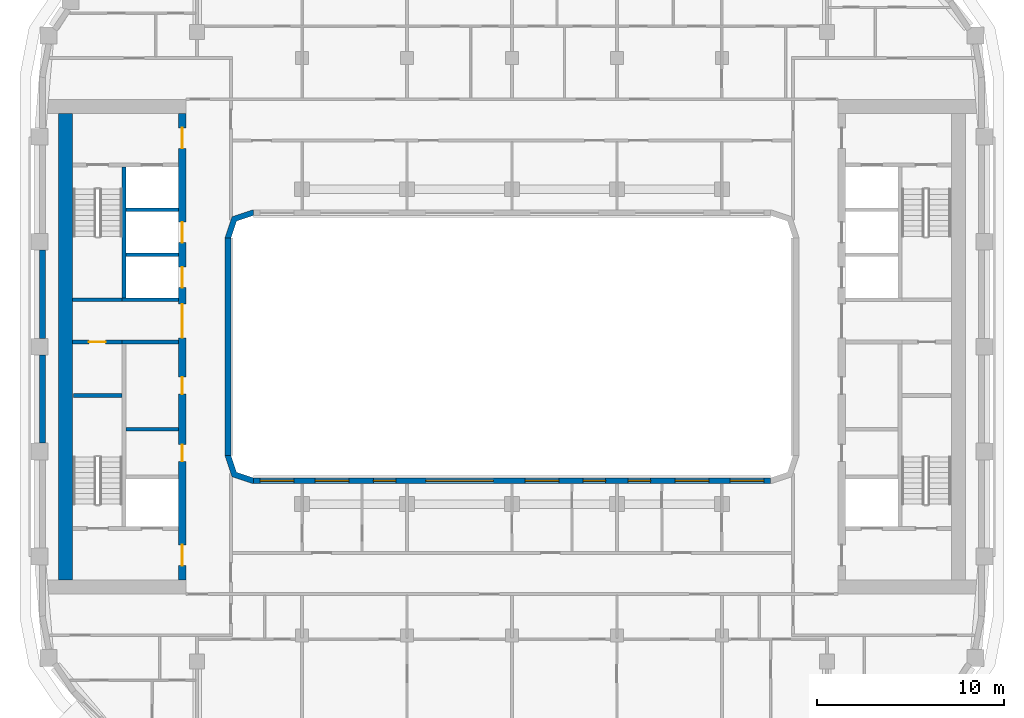
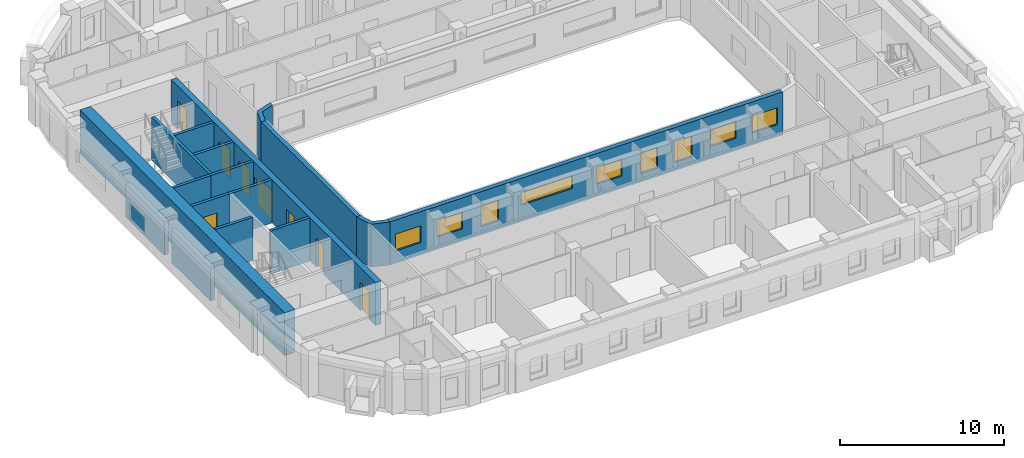
# One storey, part 4 of 21: 17 walls, 9 windows, 8 doors, 17 openings.
"""IFC4 building model written with IfcOpenShell, lengths in metres."""

from ifc_helpers import new_model, si_unit, direction, frame, frame_2d, origin, place, context, subcontext, project, spatial, polyline, rectangle, outline, extrude, material, layer, layer_set, type_object, element, fill, save


model = new_model("IFC4")

# Units and contexts
model_context = context("Model", 3, precision=1e-05, world=origin(), true_north=direction((0.0, 1.0)))
body_context = subcontext(model_context, "Body", "Model", "MODEL_VIEW")
ifc_project = project(units=[si_unit("LENGTHUNIT", "METRE"), si_unit("AREAUNIT", "SQUARE_METRE"), si_unit("VOLUMEUNIT", "CUBIC_METRE"), si_unit("PLANEANGLEUNIT", "RADIAN"), si_unit("MASSUNIT", "GRAM", prefix="KILO")], contexts=[model_context])

# Site, building, storey
site_placement = place(None, origin())
site = spatial("IfcSite", under=ifc_project, at=site_placement, CompositionType="ELEMENT")
building_placement = place(site_placement, origin())
building = spatial("IfcBuilding", under=site, at=building_placement, Name="Kiln Ring Residences", CompositionType="ELEMENT")
storey_placement = place(building_placement, frame((0.0, 0.0, 192.39990234375)))
storey = spatial("IfcBuildingStorey", under=building, at=storey_placement, Name="L49", CompositionType="ELEMENT", Elevation=192.39990234375)

# Wall, opening, door
ifc_material_1 = material(Name="Gypsum board on steel studs", Category="steel")
ifc_layer_1 = layer(ifc_material_1, 0.199951171875)
ifc_layer_set_1 = layer_set([ifc_layer_1], Name="CORE-PARTITION-200")
wall_type_1 = type_object("IfcWallType", Name="CORE-PARTITION-200", PredefinedType="PARTITIONING", material=ifc_layer_set_1)
wall_1_placement = place(storey_placement, frame((-20.800048828125, 0.25, 0.0), z_axis=(0.0, 0.0, 1.0), x_axis=(-1.0, 0.0, 0.0)))
wall_1 = element("IfcWall", 1, at=wall_1_placement, inside=storey, type_object=wall_type_1, Name="Core partition west L49 1", PredefinedType="PARTITIONING", context=body_context, shape_type="SweptSolid", body=[
    extrude(rectangle(XDim=2.64990234375, YDim=0.199951171875, at=frame_2d((1.324951171875, 0.0))), origin(), (0.0, 0.0, 1.0), 3.2001953125),
])
opening_1_placement = place(wall_1_placement, frame((0.875, 0.0, 0.0)))
opening_1 = element("IfcOpeningElement", 2, at=opening_1_placement, cuts=wall_1, Name="Opening L49-CW12", PredefinedType="OPENING", context=body_context, shape_type="SweptSolid", body=[
    extrude(rectangle(XDim=0.89990234375, YDim=2.10009765625, at=frame_2d((0.449951171875, 1.050048828125))), frame((0.0, 0.10986328125, 0.0), z_axis=(0.0, -1.0, 0.0), x_axis=(1.0, 0.0, 0.0)), (0.0, 0.0, 1.0), 0.219970703125),
])
ifc_material_2 = material(Name="Steel door leaf", Category="steel")
door_type_1 = type_object("IfcDoorType", Name="CORE-DOOR-ROOM", OperationType="SINGLE_SWING_LEFT", PredefinedType="DOOR", material=ifc_material_2)
door_1_placement = place(opening_1_placement, origin())
door_1 = element("IfcDoor", 3, at=door_1_placement, inside=storey, type_object=door_type_1, Name="Electrical riser room L49-CW12", OperationType="SINGLE_SWING_RIGHT", OverallHeight=2.10009765625, OverallWidth=0.89990234375, PredefinedType="DOOR", context=body_context, shape_type="SweptSolid", body=[
    extrude(rectangle(XDim=0.89990234375, YDim=2.10009765625, at=frame_2d((0.449951171875, 1.050048828125))), frame((0.0, 0.02490234375, 0.0), z_axis=(0.0, -1.0, 0.0), x_axis=(1.0, 0.0, 0.0)), (0.0, 0.0, 1.0), 0.050048828125),
])
fill(opening_1, door_1)

# Walls
wall_2_placement = place(storey_placement, frame((-17.800048828125, -4.39990234375, 0.0), z_axis=(0.0, 0.0, 1.0), x_axis=(-1.0, 0.0, 0.0)))
element("IfcWall", 4, at=wall_2_placement, inside=storey, type_object=wall_type_1, Name="Core partition west L49 2", PredefinedType="PARTITIONING", context=body_context, shape_type="SweptSolid", body=[
    extrude(rectangle(XDim=2.800048828125, YDim=0.199951171875, at=frame_2d((1.39990234375, 0.0))), origin(), (0.0, 0.0, 1.0), 3.2001953125),
])
ifc_material_3 = material(Name="Gypsum shaft wall system")
ifc_layer_2 = layer(ifc_material_3, 0.199951171875)
ifc_layer_set_2 = layer_set([ifc_layer_2], Name="CORE-SHAFT-WALL-200")
wall_type_2 = type_object("IfcWallType", Name="CORE-SHAFT-WALL-200", PredefinedType="PARTITIONING", material=ifc_layer_set_2)
for number, where, z_axis, x_axis, name in (
    (5, (-17.800048828125, 0.25, 0.0), (0.0, 0.0, 1.0), (-1.0, 0.0, 0.0), "Core partition west L49 4"),
    (6, (-17.800048828125, 2.5, 0.0), (0.0, 0.0, 1.0), (-1.0, 0.0, 0.0), "Core partition west L49 5"),
):
    element("IfcWall", number, at=place(storey_placement, frame(where, z_axis=z_axis, x_axis=x_axis)), inside=storey, type_object=wall_type_2, Name=name, PredefinedType="PARTITIONING", context=body_context, shape_type="SweptSolid", body=[
        extrude(rectangle(XDim=3.0, YDim=0.199951171875, at=frame_2d((1.5, 0.0))), origin(), (0.0, 0.0, 1.0), 3.2001953125),
    ])
for number, where, z_axis, x_axis, name in (
    (7, (-17.800048828125, 4.89990234375, 0.0), (0.0, 0.0, 1.0), (-1.0, 0.0, 0.0), "Core partition west L49 6"),
    (8, (-17.800048828125, 7.300048828125, 0.0), (0.0, 0.0, 1.0), (-1.0, 0.0, 0.0), "Core partition west L49 7"),
):
    element("IfcWall", number, at=place(storey_placement, frame(where, z_axis=z_axis, x_axis=x_axis)), inside=storey, type_object=wall_type_2, Name=name, PredefinedType="PARTITIONING", context=body_context, shape_type="SweptSolid", body=[
        extrude(rectangle(XDim=2.800048828125, YDim=0.199951171875, at=frame_2d((1.39990234375, 0.0))), origin(), (0.0, 0.0, 1.0), 3.2001953125),
    ])
ifc_material_4 = material(Name="Concrete C40/50", Category="concrete")
ifc_layer_3 = layer(ifc_material_4, 0.199951171875)
ifc_layer_set_3 = layer_set([ifc_layer_3], Name="CORE-WALL-RC200")
wall_type_3 = type_object("IfcWallType", Name="CORE-WALL-RC200", PredefinedType="SHEAR", material=ifc_layer_set_3)
wall_3_placement = place(storey_placement, frame((-20.699951171875, 2.60009765625, 0.0), z_axis=(0.0, 0.0, 1.0), x_axis=(0.0, 1.0, 0.0)))
element("IfcWall", 9, at=wall_3_placement, inside=storey, type_object=wall_type_3, Name="Core wall west L49 1", PredefinedType="SHEAR", context=body_context, shape_type="SweptSolid", body=[
    extrude(rectangle(XDim=7.0, YDim=0.199951171875, at=frame_2d((3.5, 0.0))), origin(), (0.0, 0.0, 1.0), 3.2001953125),
])
wall_4_placement = place(storey_placement, frame((-20.800048828125, 2.5, 0.0), z_axis=(0.0, 0.0, 1.0), x_axis=(-1.0, 0.0, 0.0)))
element("IfcWall", 10, at=wall_4_placement, inside=storey, type_object=wall_type_3, Name="Core wall west L49 3", PredefinedType="SHEAR", context=body_context, shape_type="SweptSolid", body=[
    extrude(rectangle(XDim=2.64990234375, YDim=0.199951171875, at=frame_2d((1.324951171875, 0.0))), origin(), (0.0, 0.0, 1.0), 3.2001953125),
])
wall_5_placement = place(storey_placement, frame((-20.800048828125, -2.60009765625, 0.0), z_axis=(0.0, 0.0, 1.0), x_axis=(-1.0, 0.0, 0.0)))
element("IfcWall", 11, at=wall_5_placement, inside=storey, type_object=wall_type_3, Name="Core wall west L49 10", PredefinedType="SHEAR", context=body_context, shape_type="SweptSolid", body=[
    extrude(rectangle(XDim=2.599853515625, YDim=0.199951171875, at=frame_2d((1.2998046875, 0.0))), origin(), (0.0, 0.0, 1.0), 3.2001953125),
])

# Wall, openings, doors
ifc_material_5 = material(Name="Concrete C60/75", Category="concrete")
ifc_layer_4 = layer(ifc_material_5, 0.39990234375)
ifc_layer_set_4 = layer_set([ifc_layer_4], Name="CORE-WALL-RC400")
wall_type_4 = type_object("IfcWallType", Name="CORE-WALL-RC400", PredefinedType="SHEAR", material=ifc_layer_set_4)
wall_6_placement = place(storey_placement, frame((-17.60009765625, -12.449951171875, 0.0), z_axis=(0.0, 0.0, 1.0), x_axis=(0.0, 1.0, 0.0)))
wall_6 = element("IfcWall", 12, at=wall_6_placement, inside=storey, type_object=wall_type_4, Name="Core wall west L49 6", PredefinedType="SHEAR", context=body_context, shape_type="SweptSolid", body=[
    extrude(rectangle(XDim=24.89990234375, YDim=0.39990234375, at=frame_2d((12.449951171875, 0.0))), origin(), (0.0, 0.0, 1.0), 3.2001953125),
])
opening_2_placement = place(wall_6_placement, frame((6.324951171875, 0.0, 0.0)))
opening_2 = element("IfcOpeningElement", 13, at=opening_2_placement, cuts=wall_6, Name="Opening L49-CW02", PredefinedType="OPENING", context=body_context, shape_type="SweptSolid", body=[
    extrude(rectangle(XDim=0.89990234375, YDim=2.10009765625, at=frame_2d((0.449951171875, 1.050048828125))), frame((0.0, 0.2099609375, 0.0), z_axis=(0.0, -1.0, 0.0), x_axis=(1.0, 0.0, 0.0)), (0.0, 0.0, 1.0), 0.419921875),
])
opening_3_placement = place(wall_6_placement, frame((9.925048828125, 0.0, 0.0)))
opening_3 = element("IfcOpeningElement", 14, at=opening_3_placement, cuts=wall_6, Name="Opening L49-CW03", PredefinedType="OPENING", context=body_context, shape_type="SweptSolid", body=[
    extrude(rectangle(XDim=0.89990234375, YDim=2.10009765625, at=frame_2d((0.449951171875, 1.050048828125))), frame((0.0, 0.2099609375, 0.0), z_axis=(0.0, -1.0, 0.0), x_axis=(1.0, 0.0, 0.0)), (0.0, 0.0, 1.0), 0.419921875),
])
opening_4_placement = place(wall_6_placement, frame((15.60009765625, 0.0, 0.0)))
opening_4 = element("IfcOpeningElement", 15, at=opening_4_placement, cuts=wall_6, Name="Opening L49-CW04", PredefinedType="OPENING", context=body_context, shape_type="SweptSolid", body=[
    extrude(rectangle(XDim=1.10009765625, YDim=2.10009765625, at=frame_2d((0.550048828125, 1.050048828125))), frame((0.0, 0.2099609375, 0.0), z_axis=(0.0, -1.0, 0.0), x_axis=(1.0, 0.0, 0.0)), (0.0, 0.0, 1.0), 0.419921875),
])
opening_5_placement = place(wall_6_placement, frame((18.0, 0.0, 0.0)))
opening_5 = element("IfcOpeningElement", 16, at=opening_5_placement, cuts=wall_6, Name="Opening L49-CW05", PredefinedType="OPENING", context=body_context, shape_type="SweptSolid", body=[
    extrude(rectangle(XDim=1.10009765625, YDim=2.10009765625, at=frame_2d((0.550048828125, 1.050048828125))), frame((0.0, 0.2099609375, 0.0), z_axis=(0.0, -1.0, 0.0), x_axis=(1.0, 0.0, 0.0)), (0.0, 0.0, 1.0), 0.419921875),
])
opening_6_placement = place(wall_6_placement, frame((23.02490234375, 0.0, 0.0)))
opening_6 = element("IfcOpeningElement", 17, at=opening_6_placement, cuts=wall_6, Name="Opening L49-CW07", PredefinedType="OPENING", context=body_context, shape_type="SweptSolid", body=[
    extrude(rectangle(XDim=1.10009765625, YDim=2.10009765625, at=frame_2d((0.550048828125, 1.050048828125))), frame((0.0, 0.2099609375, 0.0), z_axis=(0.0, -1.0, 0.0), x_axis=(1.0, 0.0, 0.0)), (0.0, 0.0, 1.0), 0.419921875),
])
opening_7_placement = place(wall_6_placement, frame((0.77490234375, 0.0, 0.0)))
opening_7 = element("IfcOpeningElement", 18, at=opening_7_placement, cuts=wall_6, Name="Opening L49-CW08", PredefinedType="OPENING", context=body_context, shape_type="SweptSolid", body=[
    extrude(rectangle(XDim=1.10009765625, YDim=2.10009765625, at=frame_2d((0.550048828125, 1.050048828125))), frame((0.0, 0.2099609375, 0.0), z_axis=(0.0, -1.0, 0.0), x_axis=(1.0, 0.0, 0.0)), (0.0, 0.0, 1.0), 0.419921875),
])
opening_8_placement = place(wall_6_placement, frame((12.925048828125, 0.0, 0.0)))
opening_8 = element("IfcOpeningElement", 19, at=opening_8_placement, cuts=wall_6, Name="Opening L49-CW11", PredefinedType="OPENING", context=body_context, shape_type="SweptSolid", body=[
    extrude(rectangle(XDim=1.800048828125, YDim=2.10009765625, at=frame_2d((0.89990234375, 1.050048828125))), frame((0.0, 0.2099609375, 0.0), z_axis=(0.0, -1.0, 0.0), x_axis=(1.0, 0.0, 0.0)), (0.0, 0.0, 1.0), 0.419921875),
])
ifc_material_6 = material(Name="Steel door leaf", Category="steel")
door_type_2 = type_object("IfcDoorType", Name="CORE-DOOR-LD", OperationType="DOUBLE_DOOR_SLIDING", PredefinedType="DOOR", material=ifc_material_6)
door_2_placement = place(opening_4_placement, origin())
door_2 = element("IfcDoor", 20, at=door_2_placement, inside=storey, type_object=door_type_2, Name="LD W-M1 L49-CW04", OperationType="DOUBLE_DOOR_SLIDING", OverallHeight=2.10009765625, OverallWidth=1.10009765625, PredefinedType="DOOR", context=body_context, shape_type="SweptSolid", body=[
    extrude(rectangle(XDim=1.10009765625, YDim=2.10009765625, at=frame_2d((0.550048828125, 1.050048828125))), frame((0.0, 0.02490234375, 0.0), z_axis=(0.0, -1.0, 0.0), x_axis=(1.0, 0.0, 0.0)), (0.0, 0.0, 1.0), 0.050048828125),
])
fill(opening_4, door_2)
door_3_placement = place(opening_5_placement, origin())
door_3 = element("IfcDoor", 21, at=door_3_placement, inside=storey, type_object=door_type_2, Name="LD W-M2 L49-CW05", OperationType="DOUBLE_DOOR_SLIDING", OverallHeight=2.10009765625, OverallWidth=1.10009765625, PredefinedType="DOOR", context=body_context, shape_type="SweptSolid", body=[
    extrude(rectangle(XDim=1.10009765625, YDim=2.10009765625, at=frame_2d((0.550048828125, 1.050048828125))), frame((0.0, 0.02490234375, 0.0), z_axis=(0.0, -1.0, 0.0), x_axis=(1.0, 0.0, 0.0)), (0.0, 0.0, 1.0), 0.050048828125),
])
fill(opening_5, door_3)
ifc_material_7 = material(Name="Steel door leaf", Category="steel")
door_type_3 = type_object("IfcDoorType", Name="CORE-DOOR-LOBBY", OperationType="SINGLE_SWING_LEFT", PredefinedType="DOOR", material=ifc_material_7)
door_4_placement = place(opening_6_placement, origin())
door_4 = element("IfcDoor", 22, at=door_4_placement, inside=storey, type_object=door_type_3, Name="FFL L49-CW07", OperationType="SINGLE_SWING_RIGHT", OverallHeight=2.10009765625, OverallWidth=1.10009765625, PredefinedType="DOOR", context=body_context, shape_type="SweptSolid", body=[
    extrude(rectangle(XDim=1.10009765625, YDim=2.10009765625, at=frame_2d((0.550048828125, 1.050048828125))), frame((0.0, 0.02490234375, 0.0), z_axis=(0.0, -1.0, 0.0), x_axis=(1.0, 0.0, 0.0)), (0.0, 0.0, 1.0), 0.050048828125),
])
fill(opening_6, door_4)
door_5_placement = place(opening_7_placement, origin())
door_5 = element("IfcDoor", 23, at=door_5_placement, inside=storey, type_object=door_type_3, Name="SVL L49-CW08", OperationType="SINGLE_SWING_LEFT", OverallHeight=2.10009765625, OverallWidth=1.10009765625, PredefinedType="DOOR", context=body_context, shape_type="SweptSolid", body=[
    extrude(rectangle(XDim=1.10009765625, YDim=2.10009765625, at=frame_2d((0.550048828125, 1.050048828125))), frame((0.0, 0.02490234375, 0.0), z_axis=(0.0, -1.0, 0.0), x_axis=(1.0, 0.0, 0.0)), (0.0, 0.0, 1.0), 0.050048828125),
])
fill(opening_7, door_5)
ifc_material_8 = material(Name="Steel door leaf", Category="steel")
door_type_4 = type_object("IfcDoorType", Name="CORE-DOOR-PASS", OperationType="DOUBLE_DOOR_SINGLE_SWING", PredefinedType="DOOR", material=ifc_material_8)
door_6_placement = place(opening_8_placement, origin())
door_6 = element("IfcDoor", 24, at=door_6_placement, inside=storey, type_object=door_type_4, Name="Core passage L49-CW11", OperationType="DOUBLE_DOOR_SINGLE_SWING", OverallHeight=2.10009765625, OverallWidth=1.800048828125, PredefinedType="DOOR", context=body_context, shape_type="SweptSolid", body=[
    extrude(rectangle(XDim=1.800048828125, YDim=2.10009765625, at=frame_2d((0.89990234375, 1.050048828125))), frame((0.0, 0.02490234375, 0.0), z_axis=(0.0, -1.0, 0.0), x_axis=(1.0, 0.0, 0.0)), (0.0, 0.0, 1.0), 0.050048828125),
])
fill(opening_8, door_6)
door_7_placement = place(opening_2_placement, origin())
door_7 = element("IfcDoor", 25, at=door_7_placement, inside=storey, type_object=door_type_1, Name="Goods store L49-CW02", OperationType="SINGLE_SWING_RIGHT", OverallHeight=2.10009765625, OverallWidth=0.89990234375, PredefinedType="DOOR", context=body_context, shape_type="SweptSolid", body=[
    extrude(rectangle(XDim=0.89990234375, YDim=2.10009765625, at=frame_2d((0.449951171875, 1.050048828125))), frame((0.0, 0.02490234375, 0.0), z_axis=(0.0, -1.0, 0.0), x_axis=(1.0, 0.0, 0.0)), (0.0, 0.0, 1.0), 0.050048828125),
])
fill(opening_2, door_7)
door_8_placement = place(opening_3_placement, origin())
door_8 = element("IfcDoor", 26, at=door_8_placement, inside=storey, type_object=door_type_1, Name="Storage room L49-CW03", OperationType="SINGLE_SWING_LEFT", OverallHeight=2.10009765625, OverallWidth=0.89990234375, PredefinedType="DOOR", context=body_context, shape_type="SweptSolid", body=[
    extrude(rectangle(XDim=0.89990234375, YDim=2.10009765625, at=frame_2d((0.449951171875, 1.050048828125))), frame((0.0, 0.02490234375, 0.0), z_axis=(0.0, -1.0, 0.0), x_axis=(1.0, 0.0, 0.0)), (0.0, 0.0, 1.0), 0.050048828125),
])
fill(opening_3, door_8)

# Walls
ifc_material_9 = material(Name="Concrete C60/75", Category="concrete")
ifc_layer_5 = layer(ifc_material_9, 0.75)
ifc_layer_set_5 = layer_set([ifc_layer_5], Name="CORE-WALL-RC750")
wall_type_5 = type_object("IfcWallType", Name="CORE-WALL-RC750", PredefinedType="SHEAR", material=ifc_layer_set_5)
wall_7_placement = place(storey_placement, frame((-23.824951171875, -12.449951171875, 0.0), z_axis=(0.0, 0.0, 1.0), x_axis=(0.0, 1.0, 0.0)))
element("IfcWall", 27, at=wall_7_placement, inside=storey, type_object=wall_type_5, Name="Core wall west L49 7", PredefinedType="SHEAR", context=body_context, shape_type="SweptSolid", body=[
    extrude(rectangle(XDim=24.89990234375, YDim=0.75, at=frame_2d((12.449951171875, 0.0))), origin(), (0.0, 0.0, 1.0), 3.2001953125),
])
ifc_material_10 = material(Name="Brick masonry, dark clay brick", Category="masonry")
ifc_layer_6 = layer(ifc_material_10, 0.300048828125)
ifc_layer_set_6 = layer_set([ifc_layer_6], Name="EW-300 BRICK WALL")
wall_type_6 = type_object("IfcWallType", Name="EW-300 BRICK WALL", PredefinedType="SOLIDWALL", material=ifc_layer_set_6)
for number, where, z_axis, x_axis, name in (
    (28, (-25.050048828125, 5.14990234375, 0.0), (0.0, 0.0, 1.0), (0.0, -1.0, 0.0), "Facade wall L49 41"),
    (29, (-25.050048828125, -0.449951171875, 0.0), (0.0, 0.0, 1.0), (0.0, -1.0, 0.0), "Facade wall L49 42"),
):
    element("IfcWall", number, at=place(storey_placement, frame(where, z_axis=z_axis, x_axis=x_axis)), inside=storey, type_object=wall_type_6, Name=name, PredefinedType="SOLIDWALL", context=body_context, shape_type="SweptSolid", body=[
        extrude(rectangle(XDim=4.699951171875, YDim=0.300048828125, at=frame_2d((2.35009765625, 0.0))), origin(), (0.0, 0.0, 1.0), 2.5),
    ])
wall_8_placement = place(storey_placement, frame((-15.14990234375, -5.800048828125, 0.0), z_axis=(0.0, 0.0, 1.0), x_axis=(0.0, 1.0, 0.0)))
element("IfcWall", 30, at=wall_8_placement, inside=storey, type_object=wall_type_6, Name="Facade wall L49 47", PredefinedType="SOLIDWALL", context=body_context, shape_type="SweptSolid", body=[
    extrude(rectangle(XDim=11.60009765625, YDim=0.300048828125, at=frame_2d((5.800048828125, 0.0))), origin(), (0.0, 0.0, 1.0), 3.2001953125),
])

# Wall, openings, windows
wall_9_placement = place(storey_placement, frame((13.800048828125, -7.14990234375, 0.0), z_axis=(0.0, 0.0, 1.0), x_axis=(-1.0, 0.0, 0.0)))
wall_9 = element("IfcWall", 31, at=wall_9_placement, inside=storey, type_object=wall_type_6, Name="Facade wall L49 50", PredefinedType="SOLIDWALL", context=body_context, shape_type="SweptSolid", body=[
    extrude(rectangle(XDim=27.60009765625, YDim=0.300048828125, at=frame_2d((13.800048828125, 0.0))), origin(), (0.0, 0.0, 1.0), 3.2001953125),
])
opening_9_placement = place(wall_9_placement, frame((0.362548828125, 0.0, 0.89990234375)))
opening_9 = element("IfcOpeningElement", 32, at=opening_9_placement, cuts=wall_9, Name="Opening W2", PredefinedType="OPENING", context=body_context, shape_type="SweptSolid", body=[
    extrude(rectangle(XDim=1.800048828125, YDim=1.25, at=frame_2d((0.89990234375, 0.625))), frame((0.0, 0.159912109375, 0.0), z_axis=(0.0, -1.0, 0.0), x_axis=(1.0, 0.0, 0.0)), (0.0, 0.0, 1.0), 0.320068359375),
])
opening_10_placement = place(wall_9_placement, frame((3.300048828125, 0.0, 0.89990234375)))
opening_10 = element("IfcOpeningElement", 33, at=opening_10_placement, cuts=wall_9, Name="Opening W2", PredefinedType="OPENING", context=body_context, shape_type="SweptSolid", body=[
    extrude(rectangle(XDim=1.800048828125, YDim=1.25, at=frame_2d((0.89990234375, 0.625))), frame((0.0, 0.159912109375, 0.0), z_axis=(0.0, -1.0, 0.0), x_axis=(1.0, 0.0, 0.0)), (0.0, 0.0, 1.0), 0.320068359375),
])
opening_11_placement = place(wall_9_placement, frame((6.39990234375, 0.0, 0.60009765625)))
opening_11 = element("IfcOpeningElement", 34, at=opening_11_placement, cuts=wall_9, Name="Opening W1", PredefinedType="OPENING", context=body_context, shape_type="SweptSolid", body=[
    extrude(rectangle(XDim=1.199951171875, YDim=1.550048828125, at=frame_2d((0.60009765625, 0.77490234375))), frame((0.0, 0.159912109375, 0.0), z_axis=(0.0, -1.0, 0.0), x_axis=(1.0, 0.0, 0.0)), (0.0, 0.0, 1.0), 0.320068359375),
])
opening_12_placement = place(wall_9_placement, frame((8.800048828125, 0.0, 0.60009765625)))
opening_12 = element("IfcOpeningElement", 35, at=opening_12_placement, cuts=wall_9, Name="Opening W1", PredefinedType="OPENING", context=body_context, shape_type="SweptSolid", body=[
    extrude(rectangle(XDim=1.199951171875, YDim=1.550048828125, at=frame_2d((0.60009765625, 0.77490234375))), frame((0.0, 0.159912109375, 0.0), z_axis=(0.0, -1.0, 0.0), x_axis=(1.0, 0.0, 0.0)), (0.0, 0.0, 1.0), 0.320068359375),
])
opening_13_placement = place(wall_9_placement, frame((11.300048828125, 0.0, 0.89990234375)))
opening_13 = element("IfcOpeningElement", 36, at=opening_13_placement, cuts=wall_9, Name="Opening W2", PredefinedType="OPENING", context=body_context, shape_type="SweptSolid", body=[
    extrude(rectangle(XDim=1.800048828125, YDim=1.25, at=frame_2d((0.89990234375, 0.625))), frame((0.0, 0.159912109375, 0.0), z_axis=(0.0, -1.0, 0.0), x_axis=(1.0, 0.0, 0.0)), (0.0, 0.0, 1.0), 0.320068359375),
])
opening_14_placement = place(wall_9_placement, frame((14.800048828125, 0.0, 1.199951171875)))
opening_14 = element("IfcOpeningElement", 37, at=opening_14_placement, cuts=wall_9, Name="Opening W4", PredefinedType="OPENING", context=body_context, shape_type="SweptSolid", body=[
    extrude(rectangle(XDim=3.60009765625, YDim=0.949951171875, at=frame_2d((1.800048828125, 0.47509765625))), frame((0.0, 0.159912109375, 0.0), z_axis=(0.0, -1.0, 0.0), x_axis=(1.0, 0.0, 0.0)), (0.0, 0.0, 1.0), 0.320068359375),
])
opening_15_placement = place(wall_9_placement, frame((20.0, 0.0, 0.60009765625)))
opening_15 = element("IfcOpeningElement", 38, at=opening_15_placement, cuts=wall_9, Name="Opening W1", PredefinedType="OPENING", context=body_context, shape_type="SweptSolid", body=[
    extrude(rectangle(XDim=1.199951171875, YDim=1.550048828125, at=frame_2d((0.60009765625, 0.77490234375))), frame((0.0, 0.159912109375, 0.0), z_axis=(0.0, -1.0, 0.0), x_axis=(1.0, 0.0, 0.0)), (0.0, 0.0, 1.0), 0.320068359375),
])
opening_16_placement = place(wall_9_placement, frame((22.5, 0.0, 0.89990234375)))
opening_16 = element("IfcOpeningElement", 39, at=opening_16_placement, cuts=wall_9, Name="Opening W2", PredefinedType="OPENING", context=body_context, shape_type="SweptSolid", body=[
    extrude(rectangle(XDim=1.800048828125, YDim=1.25, at=frame_2d((0.89990234375, 0.625))), frame((0.0, 0.159912109375, 0.0), z_axis=(0.0, -1.0, 0.0), x_axis=(1.0, 0.0, 0.0)), (0.0, 0.0, 1.0), 0.320068359375),
])
opening_17_placement = place(wall_9_placement, frame((25.4375, 0.0, 0.89990234375)))
opening_17 = element("IfcOpeningElement", 40, at=opening_17_placement, cuts=wall_9, Name="Opening W2", PredefinedType="OPENING", context=body_context, shape_type="SweptSolid", body=[
    extrude(rectangle(XDim=1.800048828125, YDim=1.25, at=frame_2d((0.89990234375, 0.625))), frame((0.0, 0.159912109375, 0.0), z_axis=(0.0, -1.0, 0.0), x_axis=(1.0, 0.0, 0.0)), (0.0, 0.0, 1.0), 0.320068359375),
])
ifc_material_11 = material(Name="Aluminium frame with double glazing", Category="aluminium")
window_type_1 = type_object("IfcWindowType", Name="WINDOW 1200 x 1550", PartitioningType="SINGLE_PANEL", PredefinedType="WINDOW", material=ifc_material_11)
window_1_placement = place(opening_11_placement, origin())
window_1 = element("IfcWindow", 41, at=window_1_placement, inside=storey, type_object=window_type_1, Name="Window L49 43", OverallHeight=1.550048828125, OverallWidth=1.199951171875, PartitioningType="SINGLE_PANEL", PredefinedType="WINDOW", context=body_context, shape_type="SweptSolid", body=[
    extrude(rectangle(XDim=1.199951171875, YDim=1.550048828125, at=frame_2d((0.60009765625, 0.77490234375))), frame((0.0, 0.030029296875, 0.0), z_axis=(0.0, -1.0, 0.0), x_axis=(1.0, 0.0, 0.0)), (0.0, 0.0, 1.0), 0.06005859375),
])
fill(opening_11, window_1)
window_2_placement = place(opening_12_placement, origin())
window_2 = element("IfcWindow", 42, at=window_2_placement, inside=storey, type_object=window_type_1, Name="Window L49 44", OverallHeight=1.550048828125, OverallWidth=1.199951171875, PartitioningType="SINGLE_PANEL", PredefinedType="WINDOW", context=body_context, shape_type="SweptSolid", body=[
    extrude(rectangle(XDim=1.199951171875, YDim=1.550048828125, at=frame_2d((0.60009765625, 0.77490234375))), frame((0.0, 0.030029296875, 0.0), z_axis=(0.0, -1.0, 0.0), x_axis=(1.0, 0.0, 0.0)), (0.0, 0.0, 1.0), 0.06005859375),
])
fill(opening_12, window_2)
window_3_placement = place(opening_15_placement, origin())
window_3 = element("IfcWindow", 43, at=window_3_placement, inside=storey, type_object=window_type_1, Name="Window L49 47", OverallHeight=1.550048828125, OverallWidth=1.199951171875, PartitioningType="SINGLE_PANEL", PredefinedType="WINDOW", context=body_context, shape_type="SweptSolid", body=[
    extrude(rectangle(XDim=1.199951171875, YDim=1.550048828125, at=frame_2d((0.60009765625, 0.77490234375))), frame((0.0, 0.030029296875, 0.0), z_axis=(0.0, -1.0, 0.0), x_axis=(1.0, 0.0, 0.0)), (0.0, 0.0, 1.0), 0.06005859375),
])
fill(opening_15, window_3)
ifc_material_12 = material(Name="Aluminium frame with double glazing", Category="aluminium")
window_type_2 = type_object("IfcWindowType", Name="WINDOW 1800 x 1250", PartitioningType="SINGLE_PANEL", PredefinedType="WINDOW", material=ifc_material_12)
window_4_placement = place(opening_9_placement, origin())
window_4 = element("IfcWindow", 44, at=window_4_placement, inside=storey, type_object=window_type_2, Name="Window L49 41", OverallHeight=1.25, OverallWidth=1.800048828125, PartitioningType="SINGLE_PANEL", PredefinedType="WINDOW", context=body_context, shape_type="SweptSolid", body=[
    extrude(rectangle(XDim=1.800048828125, YDim=1.25, at=frame_2d((0.89990234375, 0.625))), frame((0.0, 0.030029296875, 0.0), z_axis=(0.0, -1.0, 0.0), x_axis=(1.0, 0.0, 0.0)), (0.0, 0.0, 1.0), 0.06005859375),
])
fill(opening_9, window_4)
window_5_placement = place(opening_10_placement, origin())
window_5 = element("IfcWindow", 45, at=window_5_placement, inside=storey, type_object=window_type_2, Name="Window L49 42", OverallHeight=1.25, OverallWidth=1.800048828125, PartitioningType="SINGLE_PANEL", PredefinedType="WINDOW", context=body_context, shape_type="SweptSolid", body=[
    extrude(rectangle(XDim=1.800048828125, YDim=1.25, at=frame_2d((0.89990234375, 0.625))), frame((0.0, 0.030029296875, 0.0), z_axis=(0.0, -1.0, 0.0), x_axis=(1.0, 0.0, 0.0)), (0.0, 0.0, 1.0), 0.06005859375),
])
fill(opening_10, window_5)
window_6_placement = place(opening_13_placement, origin())
window_6 = element("IfcWindow", 46, at=window_6_placement, inside=storey, type_object=window_type_2, Name="Window L49 45", OverallHeight=1.25, OverallWidth=1.800048828125, PartitioningType="SINGLE_PANEL", PredefinedType="WINDOW", context=body_context, shape_type="SweptSolid", body=[
    extrude(rectangle(XDim=1.800048828125, YDim=1.25, at=frame_2d((0.89990234375, 0.625))), frame((0.0, 0.030029296875, 0.0), z_axis=(0.0, -1.0, 0.0), x_axis=(1.0, 0.0, 0.0)), (0.0, 0.0, 1.0), 0.06005859375),
])
fill(opening_13, window_6)
window_7_placement = place(opening_16_placement, origin())
window_7 = element("IfcWindow", 47, at=window_7_placement, inside=storey, type_object=window_type_2, Name="Window L49 48", OverallHeight=1.25, OverallWidth=1.800048828125, PartitioningType="SINGLE_PANEL", PredefinedType="WINDOW", context=body_context, shape_type="SweptSolid", body=[
    extrude(rectangle(XDim=1.800048828125, YDim=1.25, at=frame_2d((0.89990234375, 0.625))), frame((0.0, 0.030029296875, 0.0), z_axis=(0.0, -1.0, 0.0), x_axis=(1.0, 0.0, 0.0)), (0.0, 0.0, 1.0), 0.06005859375),
])
fill(opening_16, window_7)
window_8_placement = place(opening_17_placement, origin())
window_8 = element("IfcWindow", 48, at=window_8_placement, inside=storey, type_object=window_type_2, Name="Window L49 49", OverallHeight=1.25, OverallWidth=1.800048828125, PartitioningType="SINGLE_PANEL", PredefinedType="WINDOW", context=body_context, shape_type="SweptSolid", body=[
    extrude(rectangle(XDim=1.800048828125, YDim=1.25, at=frame_2d((0.89990234375, 0.625))), frame((0.0, 0.030029296875, 0.0), z_axis=(0.0, -1.0, 0.0), x_axis=(1.0, 0.0, 0.0)), (0.0, 0.0, 1.0), 0.06005859375),
])
fill(opening_17, window_8)
ifc_material_13 = material(Name="Aluminium frame with double glazing", Category="aluminium")
window_type_3 = type_object("IfcWindowType", Name="WINDOW 3600 x 950", PartitioningType="SINGLE_PANEL", PredefinedType="WINDOW", material=ifc_material_13)
window_9_placement = place(opening_14_placement, origin())
window_9 = element("IfcWindow", 49, at=window_9_placement, inside=storey, type_object=window_type_3, Name="Window L49 46", OverallHeight=0.949951171875, OverallWidth=3.60009765625, PartitioningType="SINGLE_PANEL", PredefinedType="WINDOW", context=body_context, shape_type="SweptSolid", body=[
    extrude(rectangle(XDim=3.60009765625, YDim=0.949951171875, at=frame_2d((1.800048828125, 0.47509765625))), frame((0.0, 0.030029296875, 0.0), z_axis=(0.0, -1.0, 0.0), x_axis=(1.0, 0.0, 0.0)), (0.0, 0.0, 1.0), 0.06005859375),
])
fill(opening_14, window_9)

# Walls
placement = place(storey_placement, origin())
element("IfcWall", 50, at=placement, inside=storey, type_object=wall_type_6, Name="Corner wall L49 1", PredefinedType="SOLIDWALL", context=body_context, shape_type="SweptSolid", body=[
    extrude(outline(polyline([(-13.8486328125, 7.300048828125), (-14.937255859375, 6.937255859375), (-15.300048828125, 5.8486328125), (-15.300048828125, 5.800048828125), (-15.0, 5.800048828125), (-14.699951171875, 6.699951171875), (-13.800048828125, 7.0), (-13.800048828125, 7.300048828125), (-13.8486328125, 7.300048828125)])), origin(), (0.0, 0.0, 1.0), 3.2001953125),
])
element("IfcWall", 51, at=placement, inside=storey, type_object=wall_type_6, Name="Corner wall L49 4", PredefinedType="SOLIDWALL", context=body_context, shape_type="SweptSolid", body=[
    extrude(outline(polyline([(-14.937255859375, -6.937255859375), (-13.8486328125, -7.300048828125), (-13.800048828125, -7.300048828125), (-13.800048828125, -7.0), (-14.699951171875, -6.699951171875), (-15.0, -5.800048828125), (-15.300048828125, -5.800048828125), (-15.300048828125, -5.8486328125), (-14.937255859375, -6.937255859375)])), origin(), (0.0, 0.0, 1.0), 3.2001953125),
])

save(model, "model.ifc")
